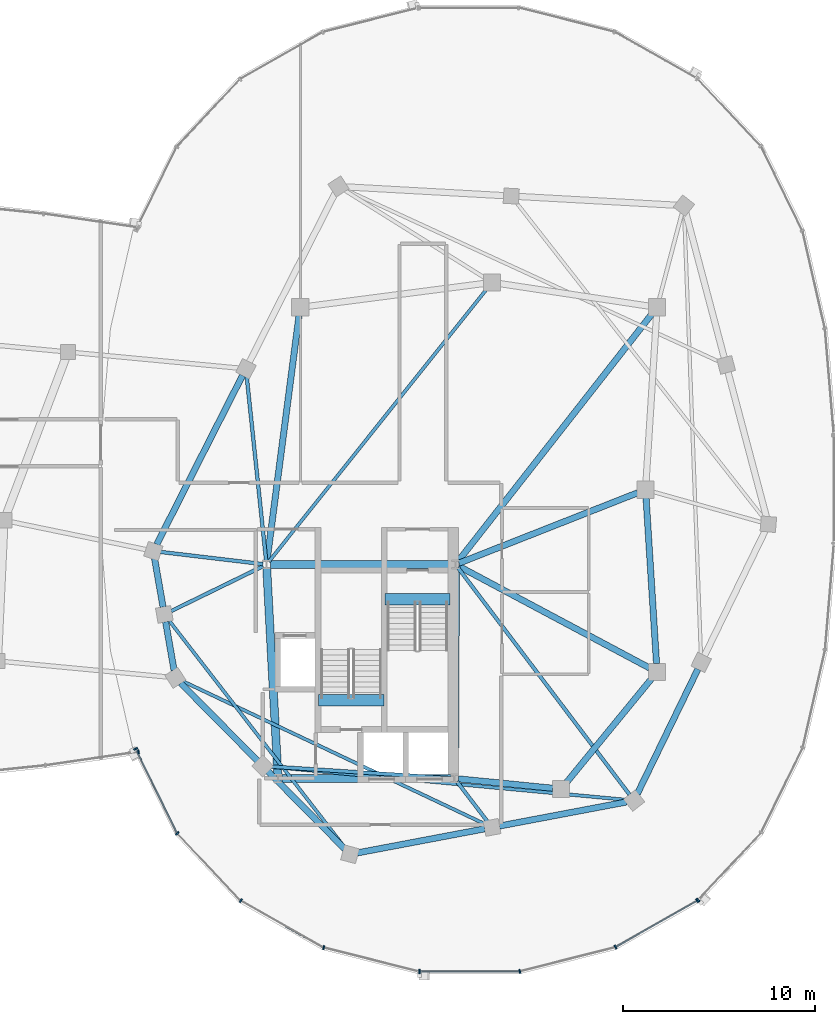
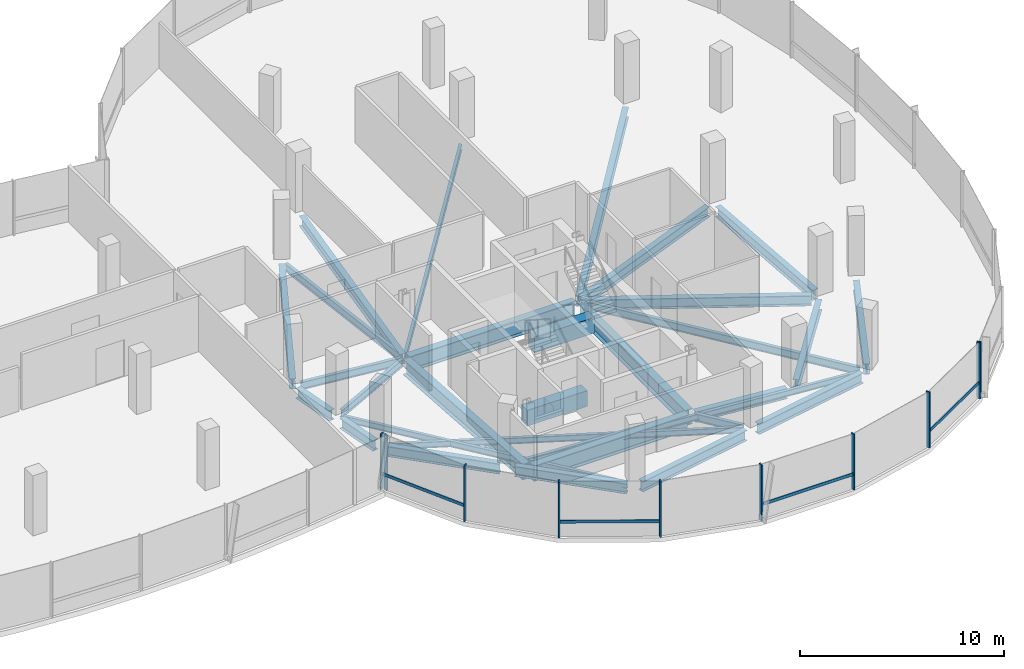
# One storey, part 8 of 24: 31 beams, 14 members, 3 elements without a shape of their own.
"""IFC4 building model written with IfcOpenShell, lengths in metres."""

from ifc_helpers import new_model, si_unit, direction, frame, origin, origin_2d, place, context, subcontext, project, spatial, rectangle, i_section, extrude, material, material_profile, profile_set, type_object, element, aggregate, save


model = new_model("IFC4")

# Units and contexts
model_context = context("Model", 3, precision=1e-05, world=origin(), true_north=direction((0.0, 1.0)))
body_context = subcontext(model_context, "Body", "Model", "MODEL_VIEW")
ifc_project = project(units=[si_unit("LENGTHUNIT", "METRE"), si_unit("AREAUNIT", "SQUARE_METRE"), si_unit("VOLUMEUNIT", "CUBIC_METRE"), si_unit("PLANEANGLEUNIT", "RADIAN"), si_unit("MASSUNIT", "GRAM", prefix="KILO"), si_unit("THERMODYNAMICTEMPERATUREUNIT", "KELVIN"), si_unit("POWERUNIT", "WATT")], contexts=[model_context])

# Site, building, storey
site_placement = place(None, origin())
site = spatial("IfcSite", under=ifc_project, at=site_placement, CompositionType="ELEMENT")
building_placement = place(site_placement, origin())
building = spatial("IfcBuilding", under=site, at=building_placement, Name="Cundina Bronze Exchange", CompositionType="ELEMENT")
storey_placement = place(building_placement, frame((0.0, 0.0, 268.39990234375)))
storey = spatial("IfcBuildingStorey", under=building, at=storey_placement, Name="L71", CompositionType="ELEMENT", Elevation=268.39990234375)

# Beams
ifc_material_1 = material(Name="Concrete C60/75", Category="concrete")
ifc_material_profile_1 = material_profile(ifc_material_1, rectangle(XDim=0.60009765625, YDim=0.949951171875, at=origin_2d()), Name="RC600X950", Category="concrete")
ifc_profile_set_1 = profile_set([ifc_material_profile_1], Name="Concrete C60/75")
beam_type_1 = type_object("IfcBeamType", Name="BM-COUP-RC950", PredefinedType="LINTEL", material=ifc_profile_set_1)
beam_1_placement = place(storey_placement, frame((27.6201171875, -5.719970703125, -0.474853515625), z_axis=(1.0, 0.0, 0.0), x_axis=(0.0, 1.0, 0.0)))
element("IfcBeam", 1, at=beam_1_placement, inside=storey, type_object=beam_type_1, Name="L71 Stair E1 Landing Header Beam", PredefinedType="LINTEL", context=body_context, shape_type="SweptSolid", body=[
    extrude(rectangle(XDim=0.60009765625, YDim=0.949951171875, at=origin_2d()), origin(), (0.0, 0.0, 1.0), 3.39990234375),
])
beam_2_placement = place(storey_placement, frame((24.159912109375, -10.97998046875, -0.474853515625), z_axis=(1.0, 0.0, 0.0), x_axis=(0.0, 1.0, 0.0)))
element("IfcBeam", 2, at=beam_2_placement, inside=storey, type_object=beam_type_1, Name="L71 Stair E2 Landing Header Beam", PredefinedType="LINTEL", context=body_context, shape_type="SweptSolid", body=[
    extrude(rectangle(XDim=0.60009765625, YDim=0.949951171875, at=origin_2d()), origin(), (0.0, 0.0, 1.0), 3.400146484375),
])
ifc_material_2 = material(Name="Steel ASTM A992 Grade 50", Category="steel")
ifc_material_profile_2 = material_profile(ifc_material_2, i_section(OverallWidth=0.19091796875, OverallDepth=0.4599609375, WebThickness=0.010009765625, FlangeThickness=0.01611328125, FilletRadius=0.011962890625, at=origin_2d()), Name="W18X55", Category="steel")
ifc_profile_set_2 = profile_set([ifc_material_profile_2], Name="Steel ASTM A992 Grade 50")
beam_type_2 = type_object("IfcBeamType", Name="BM-FLR-W18B", PredefinedType="BEAM", material=ifc_profile_set_2)
beam_3_placement = place(storey_placement, frame((21.25537109375, -3.876953125, -0.489990234375), z_axis=(-0.993031892142, 0.117845921393, 0.0), x_axis=(-0.117845921393, -0.993031892142, 0.0)))
element("IfcBeam", 3, at=beam_3_placement, inside=storey, type_object=beam_type_2, Name="L71 Leg E Chordal Floor Beam 00", PredefinedType="BEAM", context=body_context, shape_type="SweptSolid", body=[
    extrude(i_section(OverallWidth=0.19091796875, OverallDepth=0.4599609375, WebThickness=0.010009765625, FlangeThickness=0.01611328125, FilletRadius=0.011962890625, at=origin_2d()), origin(), (0.0, 0.0, 1.0), 5.357421875),
])
beam_4_placement = place(storey_placement, frame((21.27392578125, -3.986083984375, -0.489990234375), z_axis=(-0.898610260891, -0.438747762412, 0.0), x_axis=(0.438747762412, -0.898610260891, 0.0)))
element("IfcBeam", 4, at=beam_4_placement, inside=storey, type_object=beam_type_2, Name="L71 Leg E Chordal Floor Beam 01", PredefinedType="BEAM", context=body_context, shape_type="SweptSolid", body=[
    extrude(i_section(OverallWidth=0.19091796875, OverallDepth=0.4599609375, WebThickness=0.010009765625, FlangeThickness=0.01611328125, FilletRadius=0.011962890625, at=origin_2d()), origin(), (0.0, 0.0, 1.0), 5.341796875),
])
beam_5_placement = place(storey_placement, frame((31.054443359375, -15.037353515625, -0.489990234375), z_axis=(-0.997894580734, 0.064856809527, 0.0), x_axis=(-0.064856809527, -0.997894580734, 0.0)))
element("IfcBeam", 5, at=beam_5_placement, inside=storey, type_object=beam_type_2, Name="L71 Leg E Chordal Floor Beam 03", PredefinedType="BEAM", context=body_context, shape_type="SweptSolid", body=[
    extrude(i_section(OverallWidth=0.19091796875, OverallDepth=0.4599609375, WebThickness=0.010009765625, FlangeThickness=0.01611328125, FilletRadius=0.011962890625, at=origin_2d()), origin(), (0.0, 0.0, 1.0), 9.43701171875),
])
beam_6_placement = place(storey_placement, frame((31.369140625, -15.205810546875, -0.489990234375), z_axis=(0.607470812638, -0.794341999263, 0.0), x_axis=(0.794341999263, 0.607470812638, 0.0)))
element("IfcBeam", 6, at=beam_6_placement, inside=storey, type_object=beam_type_2, Name="L71 Leg E Chordal Floor Beam 05", PredefinedType="BEAM", context=body_context, shape_type="SweptSolid", body=[
    extrude(i_section(OverallWidth=0.19091796875, OverallDepth=0.4599609375, WebThickness=0.010009765625, FlangeThickness=0.01611328125, FilletRadius=0.011962890625, at=origin_2d()), origin(), (0.0, 0.0, 1.0), 2.6259765625),
])
beam_7_placement = place(storey_placement, frame((31.418212890625, -4.056396484375, -0.489990234375), z_axis=(0.603112871583, -0.797655855699, 0.0), x_axis=(0.797655855699, 0.603112871583, 0.0)))
element("IfcBeam", 7, at=beam_7_placement, inside=storey, type_object=beam_type_2, Name="L71 Leg E Chordal Floor Beam 06", PredefinedType="BEAM", context=body_context, shape_type="SweptSolid", body=[
    extrude(i_section(OverallWidth=0.19091796875, OverallDepth=0.4599609375, WebThickness=0.010009765625, FlangeThickness=0.01611328125, FilletRadius=0.011962890625, at=origin_2d()), origin(), (0.0, 0.0, 1.0), 14.8359375),
])
beam_8_placement = place(storey_placement, frame((21.429443359375, -3.705078125, -0.489990234375), z_axis=(-0.10480040809, 0.994493275223, 0.0), x_axis=(-0.994493275223, -0.10480040809, 0.0)))
element("IfcBeam", 8, at=beam_8_placement, inside=storey, type_object=beam_type_2, Name="L71 Leg E Chordal Floor Beam 13", PredefinedType="BEAM", context=body_context, shape_type="SweptSolid", body=[
    extrude(i_section(OverallWidth=0.19091796875, OverallDepth=0.4599609375, WebThickness=0.010009765625, FlangeThickness=0.01611328125, FilletRadius=0.011962890625, at=origin_2d()), origin(), (0.0, 0.0, 1.0), 9.67236328125),
])
ifc_material_profile_3 = material_profile(ifc_material_2, i_section(OverallWidth=0.172119140625, OverallDepth=0.35791015625, WebThickness=0.0078125, FlangeThickness=0.01318359375, FilletRadius=0.010009765625, at=origin_2d()), Name="W14X38", Category="steel")
ifc_profile_set_3 = profile_set([ifc_material_profile_3], Name="Steel ASTM A992 Grade 50")
beam_type_3 = type_object("IfcBeamType", Name="BM-JST-W14", PredefinedType="JOIST", material=ifc_profile_set_3)
beam_9_placement = place(storey_placement, frame((21.572509765625, -3.746826171875, -0.43896484375), z_axis=(0.624364266872, 0.781133319129, 0.0), x_axis=(-0.781133319129, 0.624364266872, 0.0)))
element("IfcBeam", 9, at=beam_9_placement, inside=storey, type_object=beam_type_3, Name="L71 E Interior Core-to-Ring Joist 2", PredefinedType="JOIST", context=body_context, shape_type="SweptSolid", body=[
    extrude(i_section(OverallWidth=0.172119140625, OverallDepth=0.35791015625, WebThickness=0.0078125, FlangeThickness=0.01318359375, FilletRadius=0.010009765625, at=origin_2d()), origin(), (0.0, 0.0, 1.0), 18.184814453125),
])
beam_10_placement = place(storey_placement, frame((16.362548828125, -6.806884765625, -0.43896484375), z_axis=(0.612077855816, -0.790797507849, 0.0), x_axis=(0.790797507849, 0.612077855816, 0.0)))
element("IfcBeam", 10, at=beam_10_placement, inside=storey, type_object=beam_type_3, Name="L71 Leg E Lobe Floor Joist 01-04", PredefinedType="JOIST", context=body_context, shape_type="SweptSolid", body=[
    extrude(i_section(OverallWidth=0.172119140625, OverallDepth=0.35791015625, WebThickness=0.0078125, FlangeThickness=0.01318359375, FilletRadius=0.010009765625, at=origin_2d()), origin(), (0.0, 0.0, 1.0), 15.03076171875),
])
beam_11_placement = place(storey_placement, frame((17.05078125, -9.9658203125, -0.43896484375), z_axis=(0.904073247994, -0.427377540661, 0.0), x_axis=(0.427377540661, 0.904073247994, 0.0)))
element("IfcBeam", 11, at=beam_11_placement, inside=storey, type_object=beam_type_3, Name="L71 Leg E Lobe Floor Joist 02-05", PredefinedType="JOIST", context=body_context, shape_type="SweptSolid", body=[
    extrude(i_section(OverallWidth=0.172119140625, OverallDepth=0.35791015625, WebThickness=0.0078125, FlangeThickness=0.01318359375, FilletRadius=0.010009765625, at=origin_2d()), origin(), (0.0, 0.0, 1.0), 17.474609375),
])
beam_12_placement = place(storey_placement, frame((21.63623046875, -14.435791015625, -0.43896484375), z_axis=(0.995700514338, -0.092630911398, 0.0), x_axis=(0.092630911398, 0.995700514338, 0.0)))
element("IfcBeam", 12, at=beam_12_placement, inside=storey, type_object=beam_type_3, Name="L71 Leg E Lobe Floor Joist 03-06", PredefinedType="JOIST", context=body_context, shape_type="SweptSolid", body=[
    extrude(i_section(OverallWidth=0.172119140625, OverallDepth=0.35791015625, WebThickness=0.0078125, FlangeThickness=0.01318359375, FilletRadius=0.010009765625, at=origin_2d()), origin(), (0.0, 0.0, 1.0), 18.65771484375),
])
ifc_material_profile_4 = material_profile(ifc_material_2, i_section(OverallWidth=0.324951171875, OverallDepth=0.615966796875, WebThickness=0.013916015625, FlangeThickness=0.021484375, FilletRadius=0.01611328125, at=origin_2d()), Name="W24X117", Category="steel")
ifc_profile_set_4 = profile_set([ifc_material_profile_4], Name="Steel ASTM A992 Grade 50")
beam_type_4 = type_object("IfcBeamType", Name="BM-RING-W24", PredefinedType="USERDEFINED", material=ifc_profile_set_4)
beam_13_placement = place(storey_placement, frame((31.445068359375, -15.0693359375, -0.56787109375), z_axis=(0.995123854478, -0.09863323096, 0.0), x_axis=(0.09863323096, 0.995123854478, 0.0)))
element("IfcBeam", 13, at=beam_13_placement, inside=storey, type_object=beam_type_4, Name="L71 E Inner Structural Ring Girder 01", ObjectType="GIRDER", PredefinedType="USERDEFINED", context=body_context, shape_type="SweptSolid", body=[
    extrude(i_section(OverallWidth=0.324951171875, OverallDepth=0.615966796875, WebThickness=0.013916015625, FlangeThickness=0.021484375, FilletRadius=0.01611328125, at=origin_2d()), origin(), (0.0, 0.0, 1.0), 4.943115234375),
])
beam_14_placement = place(storey_placement, frame((37.07763671875, -15.26123046875, -0.56787109375), z_axis=(0.633912590175, 0.77340469873, 0.0), x_axis=(-0.77340469873, 0.633912590175, 0.0)))
element("IfcBeam", 14, at=beam_14_placement, inside=storey, type_object=beam_type_4, Name="L71 E Inner Structural Ring Girder 02", ObjectType="GIRDER", PredefinedType="USERDEFINED", context=body_context, shape_type="SweptSolid", body=[
    extrude(i_section(OverallWidth=0.324951171875, OverallDepth=0.615966796875, WebThickness=0.013916015625, FlangeThickness=0.021484375, FilletRadius=0.01611328125, at=origin_2d()), origin(), (0.0, 0.0, 1.0), 7.01123046875),
])
beam_15_placement = place(storey_placement, frame((41.7724609375, -9.06298828125, -0.56787109375), z_axis=(-0.063046519736, 0.998010589297, 0.0), x_axis=(-0.998010589297, -0.063046519736, 0.0)))
element("IfcBeam", 15, at=beam_15_placement, inside=storey, type_object=beam_type_4, Name="L71 E Inner Structural Ring Girder 03", ObjectType="GIRDER", PredefinedType="USERDEFINED", context=body_context, shape_type="SweptSolid", body=[
    extrude(i_section(OverallWidth=0.324951171875, OverallDepth=0.615966796875, WebThickness=0.013916015625, FlangeThickness=0.021484375, FilletRadius=0.01611328125, at=origin_2d()), origin(), (0.0, 0.0, 1.0), 8.64306640625),
])
beam_16_placement = place(storey_placement, frame((23.143310546875, 9.065673828125, -0.56787109375), z_axis=(-0.129501251979, -0.991579258424, 0.0), x_axis=(0.991579258424, -0.129501251979, 0.0)))
element("IfcBeam", 16, at=beam_16_placement, inside=storey, type_object=beam_type_4, Name="L71 E Inner Structural Ring Girder 07", ObjectType="GIRDER", PredefinedType="USERDEFINED", context=body_context, shape_type="SweptSolid", body=[
    extrude(i_section(OverallWidth=0.324951171875, OverallDepth=0.615966796875, WebThickness=0.013916015625, FlangeThickness=0.021484375, FilletRadius=0.01611328125, at=origin_2d()), origin(), (0.0, 0.0, 1.0), 12.8798828125),
])
beam_17_placement = place(storey_placement, frame((31.482421875, -3.828125, -0.56787109375), z_axis=(0.930404106569, 0.366535398673, 0.0), x_axis=(-0.366535398673, 0.930404106569, 0.0)))
element("IfcBeam", 17, at=beam_17_placement, inside=storey, type_object=beam_type_4, Name="L71 E Core-to-Waist Tie Beam 1", ObjectType="GIRDER", PredefinedType="USERDEFINED", context=body_context, shape_type="SweptSolid", body=[
    extrude(i_section(OverallWidth=0.324951171875, OverallDepth=0.615966796875, WebThickness=0.013916015625, FlangeThickness=0.021484375, FilletRadius=0.01611328125, at=origin_2d()), origin(), (0.0, 0.0, 1.0), 10.00634765625),
])
beam_18_placement = place(storey_placement, frame((31.472900390625, -3.9921875, -0.56787109375), z_axis=(0.882350541683, -0.470592734317, 0.0), x_axis=(0.470592734317, 0.882350541683, 0.0)))
element("IfcBeam", 18, at=beam_18_placement, inside=storey, type_object=beam_type_4, Name="L71 E Core-to-Waist Tie Beam 2", ObjectType="GIRDER", PredefinedType="USERDEFINED", context=body_context, shape_type="SweptSolid", body=[
    extrude(i_section(OverallWidth=0.324951171875, OverallDepth=0.615966796875, WebThickness=0.013916015625, FlangeThickness=0.021484375, FilletRadius=0.01611328125, at=origin_2d()), origin(), (0.0, 0.0, 1.0), 11.26611328125),
])
beam_19_placement = place(storey_placement, frame((31.4208984375, -3.74560546875, -0.56787109375), z_axis=(0.616782900053, 0.787133314123, 0.0), x_axis=(-0.787133314123, 0.616782900053, 0.0)))
element("IfcBeam", 19, at=beam_19_placement, inside=storey, type_object=beam_type_4, Name="L71 E Core-to-Waist Tie Beam 3", ObjectType="GIRDER", PredefinedType="USERDEFINED", context=body_context, shape_type="SweptSolid", body=[
    extrude(i_section(OverallWidth=0.324951171875, OverallDepth=0.615966796875, WebThickness=0.013916015625, FlangeThickness=0.021484375, FilletRadius=0.01611328125, at=origin_2d()), origin(), (0.0, 0.0, 1.0), 16.3896484375),
])
for number, where, z_axis, x_axis, name in (
    (20, (15.61669921875, -3.582275390625, -0.56787109375), (0.171593362587, -0.985167862811, 0.0), (0.985167862811, 0.171593362587, 0.0), "L71 E Perimeter Ring Girder 00"),
    (21, (16.191650390625, -6.882080078125, -0.56787109375), (0.171593362587, -0.985167862811, 0.0), (0.985167862811, 0.171593362587, 0.0), "L71 E Perimeter Ring Girder 01"),
):
    element("IfcBeam", number, at=place(storey_placement, frame(where, z_axis=z_axis, x_axis=x_axis)), inside=storey, type_object=beam_type_4, Name=name, ObjectType="GIRDER", PredefinedType="USERDEFINED", context=body_context, shape_type="SweptSolid", body=[
        extrude(i_section(OverallWidth=0.324951171875, OverallDepth=0.615966796875, WebThickness=0.013916015625, FlangeThickness=0.021484375, FilletRadius=0.01611328125, at=origin_2d()), origin(), (0.0, 0.0, 1.0), 2.57373046875),
    ])
beam_20_placement = place(storey_placement, frame((16.972900390625, -10.075927734375, -0.56787109375), z_axis=(0.703237257446, -0.710955244541, 0.0), x_axis=(0.710955244541, 0.703237257446, 0.0)))
element("IfcBeam", 22, at=beam_20_placement, inside=storey, type_object=beam_type_4, Name="L71 E Perimeter Ring Girder 02", ObjectType="GIRDER", PredefinedType="USERDEFINED", context=body_context, shape_type="SweptSolid", body=[
    extrude(i_section(OverallWidth=0.324951171875, OverallDepth=0.615966796875, WebThickness=0.013916015625, FlangeThickness=0.021484375, FilletRadius=0.01611328125, at=origin_2d()), origin(), (0.0, 0.0, 1.0), 5.69384765625),
])
beam_21_placement = place(storey_placement, frame((21.52294921875, -14.67578125, -0.56787109375), z_axis=(0.703215820204, -0.710976448425, 0.0), x_axis=(0.710976448425, 0.703215820204, 0.0)))
element("IfcBeam", 23, at=beam_21_placement, inside=storey, type_object=beam_type_4, Name="L71 E Perimeter Ring Girder 03", ObjectType="GIRDER", PredefinedType="USERDEFINED", context=body_context, shape_type="SweptSolid", body=[
    extrude(i_section(OverallWidth=0.324951171875, OverallDepth=0.615966796875, WebThickness=0.013916015625, FlangeThickness=0.021484375, FilletRadius=0.01611328125, at=origin_2d()), origin(), (0.0, 0.0, 1.0), 5.694091796875),
])
beam_22_placement = place(storey_placement, frame((26.18115234375, -18.927978515625, -0.56787109375), z_axis=(0.982568104771, 0.185902984072, 0.0), x_axis=(-0.185902984072, 0.982568104771, 0.0)))
element("IfcBeam", 24, at=beam_22_placement, inside=storey, type_object=beam_type_4, Name="L71 E Perimeter Ring Girder 04", ObjectType="GIRDER", PredefinedType="USERDEFINED", context=body_context, shape_type="SweptSolid", body=[
    extrude(i_section(OverallWidth=0.324951171875, OverallDepth=0.615966796875, WebThickness=0.013916015625, FlangeThickness=0.021484375, FilletRadius=0.01611328125, at=origin_2d()), origin(), (0.0, 0.0, 1.0), 6.75537109375),
])
beam_23_placement = place(storey_placement, frame((33.581298828125, -17.52783203125, -0.56787109375), z_axis=(0.982573456977, 0.185874693392, 0.0), x_axis=(-0.185874693392, 0.982573456977, 0.0)))
element("IfcBeam", 25, at=beam_23_placement, inside=storey, type_object=beam_type_4, Name="L71 E Perimeter Ring Girder 05", ObjectType="GIRDER", PredefinedType="USERDEFINED", context=body_context, shape_type="SweptSolid", body=[
    extrude(i_section(OverallWidth=0.324951171875, OverallDepth=0.615966796875, WebThickness=0.013916015625, FlangeThickness=0.021484375, FilletRadius=0.01611328125, at=origin_2d()), origin(), (0.0, 0.0, 1.0), 6.755126953125),
])
beam_24_placement = place(storey_placement, frame((40.76953125, -15.85107421875, -0.56787109375), z_axis=(0.437216986791, 0.899356050995, 0.0), x_axis=(-0.899356050995, 0.437216986791, 0.0)))
element("IfcBeam", 26, at=beam_24_placement, inside=storey, type_object=beam_type_4, Name="L71 E Perimeter Ring Girder 06", ObjectType="GIRDER", PredefinedType="USERDEFINED", context=body_context, shape_type="SweptSolid", body=[
    extrude(i_section(OverallWidth=0.324951171875, OverallDepth=0.615966796875, WebThickness=0.013916015625, FlangeThickness=0.021484375, FilletRadius=0.01611328125, at=origin_2d()), origin(), (0.0, 0.0, 1.0), 7.2294921875),
])
beam_25_placement = place(storey_placement, frame((20.19921875, 5.9541015625, -0.56787109375), z_axis=(-0.452839263805, -0.891592171991, 0.0), x_axis=(0.891592171991, -0.452839263805, 0.0)))
element("IfcBeam", 27, at=beam_25_placement, inside=storey, type_object=beam_type_4, Name="L71 E Perimeter Ring Girder 13", ObjectType="GIRDER", PredefinedType="USERDEFINED", context=body_context, shape_type="SweptSolid", body=[
    extrude(i_section(OverallWidth=0.324951171875, OverallDepth=0.615966796875, WebThickness=0.013916015625, FlangeThickness=0.021484375, FilletRadius=0.01611328125, at=origin_2d()), origin(), (0.0, 0.0, 1.0), 9.879150390625),
])
ifc_material_profile_5 = material_profile(ifc_material_2, i_section(OverallWidth=0.41796875, OverallDepth=0.927001953125, WebThickness=0.019287109375, FlangeThickness=0.031982421875, FilletRadius=0.02392578125, at=origin_2d()), Name="W36X231", Category="steel")
ifc_profile_set_5 = profile_set([ifc_material_profile_5], Name="Steel ASTM A992 Grade 50")
beam_type_5 = type_object("IfcBeamType", Name="BM-WRN-W36B", PredefinedType="USERDEFINED", material=ifc_profile_set_5)
beam_26_placement = place(storey_placement, frame((31.10400390625, -3.89990234375, -0.723388671875), z_axis=(-1.0, 0.0, 0.0), x_axis=(0.0, -1.0, 0.0)))
element("IfcBeam", 28, at=beam_26_placement, inside=storey, type_object=beam_type_5, Name="L71 E Core Perimeter Tie Girder 1", ObjectType="GIRDER", PredefinedType="USERDEFINED", context=body_context, shape_type="SweptSolid", body=[
    extrude(i_section(OverallWidth=0.41796875, OverallDepth=0.927001953125, WebThickness=0.019287109375, FlangeThickness=0.031982421875, FilletRadius=0.02392578125, at=origin_2d()), origin(), (0.0, 0.0, 1.0), 9.4580078125),
])
beam_27_placement = place(storey_placement, frame((21.46044921875, -4.095703125, -0.723388671875), z_axis=(0.053749317644, -0.998554460634, 0.0), x_axis=(0.998554460634, 0.053749317644, 0.0)))
element("IfcBeam", 29, at=beam_27_placement, inside=storey, type_object=beam_type_5, Name="L71 E Core Perimeter Tie Girder 2", ObjectType="GIRDER", PredefinedType="USERDEFINED", context=body_context, shape_type="SweptSolid", body=[
    extrude(i_section(OverallWidth=0.41796875, OverallDepth=0.927001953125, WebThickness=0.019287109375, FlangeThickness=0.031982421875, FilletRadius=0.02392578125, at=origin_2d()), origin(), (0.0, 0.0, 1.0), 10.774169921875),
])
beam_28_placement = place(storey_placement, frame((22.24609375, -15.050048828125, -0.723388671875), z_axis=(1.0, 0.0, 0.0), x_axis=(0.0, 1.0, 0.0)))
element("IfcBeam", 30, at=beam_28_placement, inside=storey, type_object=beam_type_5, Name="L71 E Core Perimeter Tie Girder 3", ObjectType="GIRDER", PredefinedType="USERDEFINED", context=body_context, shape_type="SweptSolid", body=[
    extrude(i_section(OverallWidth=0.41796875, OverallDepth=0.927001953125, WebThickness=0.019287109375, FlangeThickness=0.031982421875, FilletRadius=0.02392578125, at=origin_2d()), origin(), (0.0, 0.0, 1.0), 8.807861328125),
])
beam_29_placement = place(storey_placement, frame((31.2509765625, -14.85400390625, -0.723388671875), z_axis=(0.004470623654, 0.999990006712, 0.0), x_axis=(-0.999990006712, 0.004470623654, 0.0)))
element("IfcBeam", 31, at=beam_29_placement, inside=storey, type_object=beam_type_5, Name="L71 E Core Perimeter Tie Girder 4", ObjectType="GIRDER", PredefinedType="USERDEFINED", context=body_context, shape_type="SweptSolid", body=[
    extrude(i_section(OverallWidth=0.41796875, OverallDepth=0.927001953125, WebThickness=0.019287109375, FlangeThickness=0.031982421875, FilletRadius=0.02392578125, at=origin_2d()), origin(), (0.0, 0.0, 1.0), 10.758056640625),
])

# Curtain wall, members
ifc_material_3 = material(Name="Anodised Bronze Aluminium 6063-T6", Category="aluminium")
curtain_wall_type = type_object("IfcCurtainWallType", Name="CWS-SKG-BRG", PredefinedType="NOTDEFINED", material=ifc_material_3)
curtain_wall_1_placement = place(storey_placement, origin())
curtain_wall_1 = element("IfcCurtainWall", 32, at=curtain_wall_1_placement, inside=storey, type_object=curtain_wall_type, Name="L71 CW-06 Curtain Wall Run CWR-L71-E3", PredefinedType="NOTDEFINED")
ifc_material_profile_6 = material_profile(ifc_material_3, rectangle(XDim=0.074951171875, YDim=0.219970703125, at=origin_2d()), Name="AL75X220", Category="aluminium")
ifc_profile_set_6 = profile_set([ifc_material_profile_6], Name="Anodised Bronze Aluminium 6063-T6")
member_type_1 = type_object("IfcMemberType", Name="CWM-MUL-220", PredefinedType="MULLION", material=ifc_profile_set_6)
member_1_placement = place(storey_placement, frame((14.630859375, -13.50390625, 0.0), z_axis=(0.0, 0.0, 1.0), x_axis=(0.440566004113, -0.897720221461, 0.0)))
member_1 = element("IfcMember", 33, at=member_1_placement, type_object=member_type_1, Name="CW-06 Mullion 1", PredefinedType="MULLION", context=body_context, shape_type="SweptSolid", body=[
    extrude(rectangle(XDim=0.074951171875, YDim=0.219970703125, at=origin_2d()), origin(), (0.0, 0.0, 1.0), 3.340087890625),
])
member_2_placement = place(storey_placement, frame((16.8037109375, -17.910400390625, 0.0), z_axis=(0.0, 0.0, 1.0), x_axis=(0.684292606175, -0.729207535023, 0.0)))
member_2 = element("IfcMember", 34, at=member_2_placement, type_object=member_type_1, Name="CW-06 Mullion 2", PredefinedType="MULLION", context=body_context, shape_type="SweptSolid", body=[
    extrude(rectangle(XDim=0.074951171875, YDim=0.219970703125, at=origin_2d()), origin(), (0.0, 0.0, 1.0), 3.340087890625),
])
member_3_placement = place(storey_placement, frame((20.11083984375, -21.419921875, 0.0), z_axis=(0.0, 0.0, 1.0), x_axis=(0.86958112538, -0.493790103568, 0.0)))
member_3 = element("IfcMember", 35, at=member_3_placement, type_object=member_type_1, Name="CW-06 Mullion 3", PredefinedType="MULLION", context=body_context, shape_type="SweptSolid", body=[
    extrude(rectangle(XDim=0.074951171875, YDim=0.219970703125, at=origin_2d()), origin(), (0.0, 0.0, 1.0), 3.340087890625),
])
member_4_placement = place(storey_placement, frame((24.4296875, -23.86181640625, 0.0), z_axis=(0.0, 0.0, 1.0), x_axis=(0.969744325821, -0.244122802168, 0.0)))
member_4 = element("IfcMember", 36, at=member_4_placement, type_object=member_type_1, Name="CW-06 Mullion 4", PredefinedType="MULLION", context=body_context, shape_type="SweptSolid", body=[
    extrude(rectangle(XDim=0.074951171875, YDim=0.219970703125, at=origin_2d()), origin(), (0.0, 0.0, 1.0), 3.340087890625),
])
member_5_placement = place(storey_placement, frame((29.423583984375, -25.110107421875, 0.0), z_axis=(0.0, 0.0, 1.0), x_axis=(1.0, 0.0, 0.0)))
member_5 = element("IfcMember", 37, at=member_5_placement, type_object=member_type_1, Name="CW-06 Mullion 5", PredefinedType="MULLION", context=body_context, shape_type="SweptSolid", body=[
    extrude(rectangle(XDim=0.074951171875, YDim=0.219970703125, at=origin_2d()), origin(), (0.0, 0.0, 1.0), 3.340087890625),
])
member_6_placement = place(storey_placement, frame((34.648193359375, -25.10107421875, 0.0), z_axis=(0.0, 0.0, 1.0), x_axis=(0.969744325821, 0.244122802168, 0.0)))
member_6 = element("IfcMember", 38, at=member_6_placement, type_object=member_type_1, Name="CW-06 Mullion 6", PredefinedType="MULLION", context=body_context, shape_type="SweptSolid", body=[
    extrude(rectangle(XDim=0.074951171875, YDim=0.219970703125, at=origin_2d()), origin(), (0.0, 0.0, 1.0), 3.340087890625),
])
member_7_placement = place(storey_placement, frame((39.634521484375, -23.8359375, 0.0), z_axis=(0.0, 0.0, 1.0), x_axis=(0.86958112538, 0.493790103568, 0.0)))
member_7 = element("IfcMember", 39, at=member_7_placement, type_object=member_type_1, Name="CW-06 Mullion 7", PredefinedType="MULLION", context=body_context, shape_type="SweptSolid", body=[
    extrude(rectangle(XDim=0.074951171875, YDim=0.219970703125, at=origin_2d()), origin(), (0.0, 0.0, 1.0), 3.340087890625),
])
member_8_placement = place(storey_placement, frame((43.88916015625, -21.419921875, 0.0), z_axis=(0.0, 0.0, 1.0), x_axis=(0.86958112538, 0.493790103568, 0.0)))
member_8 = element("IfcMember", 40, at=member_8_placement, type_object=member_type_1, Name="CW-06 End Mullion", PredefinedType="MULLION", context=body_context, shape_type="SweptSolid", body=[
    extrude(rectangle(XDim=0.074951171875, YDim=0.219970703125, at=origin_2d()), origin(), (0.0, 0.0, 1.0), 3.340087890625),
])

# Curtain wall, member
curtain_wall_2_placement = place(storey_placement, origin())
curtain_wall_2 = element("IfcCurtainWall", 41, at=curtain_wall_2_placement, inside=storey, type_object=curtain_wall_type, Name="L71 CW-06 Curtain Wall Run CWR-L71-E4", PredefinedType="NOTDEFINED")
member_9_placement = place(storey_placement, frame((43.940185546875, -21.3798828125, 0.0), z_axis=(0.0, 0.0, 1.0), x_axis=(0.684292606175, 0.729207535023, 0.0)))
member_9 = element("IfcMember", 42, at=member_9_placement, type_object=member_type_1, Name="CW-06 Mullion 1", PredefinedType="MULLION", context=body_context, shape_type="SweptSolid", body=[
    extrude(rectangle(XDim=0.074951171875, YDim=0.219970703125, at=origin_2d()), origin(), (0.0, 0.0, 1.0), 3.340087890625),
])
aggregate(curtain_wall_2, [member_9])

curtain_wall_3_placement = place(storey_placement, origin())
curtain_wall_3 = element("IfcCurtainWall", 43, at=curtain_wall_3_placement, inside=storey, type_object=curtain_wall_type, Name="L71 CW-06 Curtain Wall Run CWR-L71-BRGS", PredefinedType="NOTDEFINED")
member_10_placement = place(storey_placement, frame((14.779296875, -13.658935546875, 0.0), z_axis=(0.0, 0.0, 1.0), x_axis=(0.989525789069, 0.144356201001, 0.0)))
member_10 = element("IfcMember", 44, at=member_10_placement, type_object=member_type_1, Name="CW-06 End Mullion", PredefinedType="MULLION", context=body_context, shape_type="SweptSolid", body=[
    extrude(rectangle(XDim=0.074951171875, YDim=0.219970703125, at=origin_2d()), origin(), (0.0, 0.0, 1.0), 3.280029296875),
])
aggregate(curtain_wall_3, [member_10])

# Member
ifc_material_profile_7 = material_profile(ifc_material_3, rectangle(XDim=0.070068359375, YDim=0.179931640625, at=origin_2d()), Name="AL70X180", Category="aluminium")
ifc_profile_set_7 = profile_set([ifc_material_profile_7], Name="Anodised Bronze Aluminium 6063-T6")
member_type_2 = type_object("IfcMemberType", Name="CWM-TRN-180", PredefinedType="USERDEFINED", material=ifc_profile_set_7)
member_11_placement = place(storey_placement, frame((14.64892578125, -13.541015625, 0.920166015625), z_axis=(0.440554408939, -0.897725911826, 0.0), x_axis=(0.897725911826, 0.440554408939, 0.0)))
member_11 = element("IfcMember", 45, at=member_11_placement, type_object=member_type_2, Name="CW-06 Spandrel Transom 1", ObjectType="TRANSOM", PredefinedType="USERDEFINED", context=body_context, shape_type="SweptSolid", body=[
    extrude(rectangle(XDim=0.070068359375, YDim=0.179931640625, at=origin_2d()), origin(), (0.0, 0.0, 1.0), 4.848388671875),
])

member_12_placement = place(storey_placement, frame((20.146728515625, -21.440185546875, 0.920166015625), z_axis=(0.869557366176, -0.493831941989, 0.0), x_axis=(0.493831941989, 0.869557366176, 0.0)))
member_12 = element("IfcMember", 46, at=member_12_placement, type_object=member_type_2, Name="CW-06 Spandrel Transom 3", ObjectType="TRANSOM", PredefinedType="USERDEFINED", context=body_context, shape_type="SweptSolid", body=[
    extrude(rectangle(XDim=0.070068359375, YDim=0.179931640625, at=origin_2d()), origin(), (0.0, 0.0, 1.0), 4.892822265625),
])

member_13_placement = place(storey_placement, frame((29.464599609375, -25.110107421875, 0.920166015625), z_axis=(1.0, 0.0, 0.0), x_axis=(0.0, 1.0, 0.0)))
member_13 = element("IfcMember", 47, at=member_13_placement, type_object=member_type_2, Name="CW-06 Spandrel Transom 5", ObjectType="TRANSOM", PredefinedType="USERDEFINED", context=body_context, shape_type="SweptSolid", body=[
    extrude(rectangle(XDim=0.070068359375, YDim=0.179931640625, at=origin_2d()), origin(), (0.0, 0.0, 1.0), 5.1533203125),
])

member_14_placement = place(storey_placement, frame((39.67041015625, -23.815673828125, 0.920166015625), z_axis=(0.869558105282, 0.493830640542, 0.0), x_axis=(-0.493830640542, 0.869558105282, 0.0)))
member_14 = element("IfcMember", 48, at=member_14_placement, type_object=member_type_2, Name="CW-06 Spandrel Transom 7", ObjectType="TRANSOM", PredefinedType="USERDEFINED", context=body_context, shape_type="SweptSolid", body=[
    extrude(rectangle(XDim=0.070068359375, YDim=0.179931640625, at=origin_2d()), origin(), (0.0, 0.0, 1.0), 4.810302734375),
])

aggregate(curtain_wall_1, [member_1, member_11, member_2, member_3, member_12, member_4, member_5, member_13, member_6, member_7, member_8, member_14])

save(model, "model.ifc")
